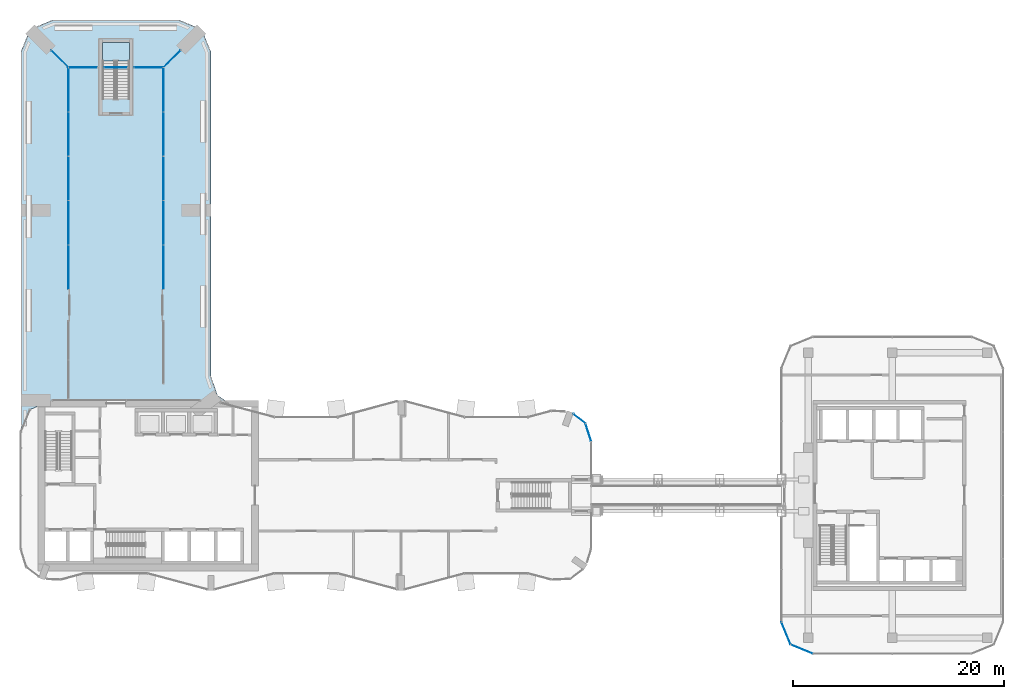
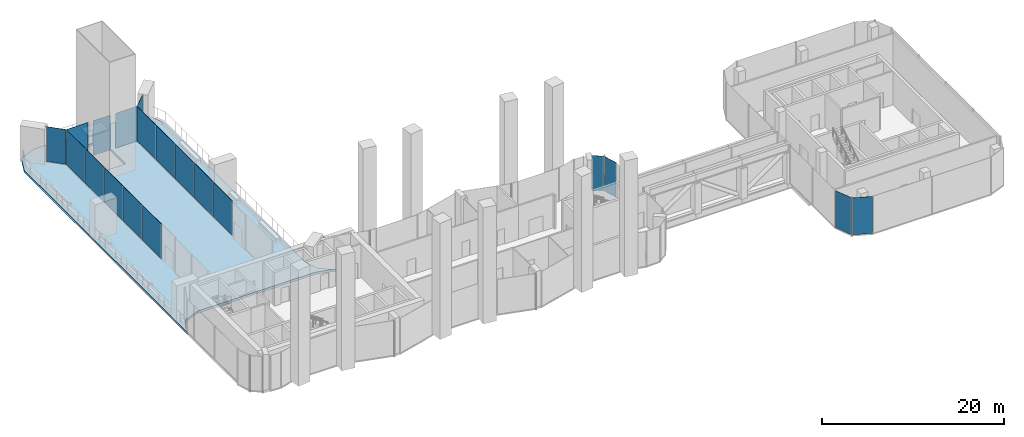
# One storey, part 14 of 23: 19 plates, 2 slabs, 12 elements without a shape of their own.
"""IFC4 building model written with IfcOpenShell, lengths in metres."""

import ifcopenshell
import ifcopenshell.guid

model = None  # the IFC model being written
_history = None  # IfcOwnerHistory: only IFC2X3 demands one
_inside = {}  # id of a spatial element -> (the spatial element, [elements in it])
_under = {}  # id of a project, library or spatial element -> (it, [spatial elements below it])
_declared = {}  # id of a project -> (the project, [libraries it declares])
_typed = {}  # id of a type object -> (the type object, [elements of that type])
_made_of = {}  # id of a material, layer set ... -> (it, [elements and type objects made of it])


def new_model(schema):
    """Start an empty IFC model of exactly this schema.

    Asked for "IFC4X3", IfcOpenShell would pick the latest addendum, in which some entities
    have other attributes; the version numbers below select the first issue.
    IFC2X3 requires an IfcOwnerHistory on every rooted entity: one is made here for all.
    """
    global model, _history
    if schema == "IFC4X3":
        model = ifcopenshell.file(schema_version=(4, 3, 0, 0))
    else:
        model = ifcopenshell.file(schema=schema)
    _inside.clear()
    _under.clear()
    _declared.clear()
    _typed.clear()
    _made_of.clear()
    _history = None
    if model.schema == "IFC2X3":
        org = make("IfcOrganization", Name="unknown")
        user = make(
            "IfcPersonAndOrganization",
            ThePerson=make("IfcPerson", FamilyName="unknown"),
            TheOrganization=org,
        )
        app = make(
            "IfcApplication",
            ApplicationDeveloper=org,
            Version="unknown",
            ApplicationFullName="unknown",
            ApplicationIdentifier="unknown",
        )
        _history = make(
            "IfcOwnerHistory",
            OwningUser=user,
            OwningApplication=app,
            ChangeAction="ADDED",
            CreationDate=0,
        )
    return model


def make(cls, **values):
    """One entity of the class cls with the attributes given. An attribute that is None is left unset."""
    return model.create_entity(
        cls, **{name: value for name, value in values.items() if value is not None}
    )


def rooted(cls, **values):
    """An entity with a GlobalId (a new one), such as an element, a storey or a relation."""
    return make(cls, GlobalId=ifcopenshell.guid.new(), OwnerHistory=_history, **values)


def si_unit(unit_type, name, prefix=None):
    """IfcSIUnit, for example si_unit("LENGTHUNIT", "METRE", prefix="MILLI")."""
    return make("IfcSIUnit", UnitType=unit_type, Prefix=prefix, Name=name)


def assignment(units):
    """IfcUnitAssignment: the units of a project."""
    return None if units is None else make("IfcUnitAssignment", Units=units)


def point(xyz):
    """IfcCartesianPoint."""
    return None if xyz is None else make("IfcCartesianPoint", Coordinates=xyz)


def direction(xyz):
    """IfcDirection."""
    return None if xyz is None else make("IfcDirection", DirectionRatios=xyz)


def frame(location, z_axis=None, x_axis=None):
    """IfcAxis2Placement3D, a coordinate frame: its origin and axes. An axis left out is left unset."""
    return make(
        "IfcAxis2Placement3D",
        Location=point(location),
        Axis=direction(z_axis),
        RefDirection=direction(x_axis),
    )


def frame_2d(location, x_axis=None):
    """IfcAxis2Placement2D, a coordinate frame in the plane: its origin and x axis."""
    return make(
        "IfcAxis2Placement2D", Location=point(location), RefDirection=direction(x_axis)
    )


def origin():
    """The frame at (0, 0, 0) with its axes left unset."""
    return frame((0.0, 0.0, 0.0))


def origin_2d():
    """The frame at (0, 0) in the plane with its x axis left unset."""
    return frame_2d((0.0, 0.0))


def place(relative_to, where):
    """IfcLocalPlacement: puts the frame where relative to a parent placement (None: the world)."""
    return make(
        "IfcLocalPlacement", PlacementRelTo=relative_to, RelativePlacement=where
    )


def context(
    kind, dimensions, precision=None, world=None, true_north=None, identifier=None
):
    """IfcGeometricRepresentationContext, for example the 3D "Model" context."""
    return make(
        "IfcGeometricRepresentationContext",
        ContextIdentifier=identifier,
        ContextType=kind,
        CoordinateSpaceDimension=dimensions,
        Precision=precision,
        WorldCoordinateSystem=world,
        TrueNorth=true_north,
    )


def subcontext(parent, identifier, kind, view, scale=None):
    """IfcGeometricRepresentationSubContext, for example "Body" below "Model"."""
    return make(
        "IfcGeometricRepresentationSubContext",
        ContextIdentifier=identifier,
        ContextType=kind,
        ParentContext=parent,
        TargetScale=scale,
        TargetView=view,
    )


def project(units=None, contexts=None):
    """IfcProject with its units and contexts."""
    return rooted(
        "IfcProject",
        Name="project",
        RepresentationContexts=contexts,
        UnitsInContext=assignment(units),
    )


def spatial(cls, under=None, at=None, **own):
    """A site, building, storey or space (cls), placed at a placement, below another one or the project."""
    s = rooted(cls, ObjectPlacement=at, **own)
    if under is not None:
        _under.setdefault(under.id(), (under, []))[1].append(s)
    return s


def polyline(points):
    """IfcPolyline through the points."""
    return make("IfcPolyline", Points=[point(p) for p in points])


def profile(cls, at=None, kind="AREA", **sizes):
    """A parametric profile (cls). Its sizes go by their IFC names, for example OverallWidth=200.0."""
    return make(cls, ProfileType=kind, Position=at, **sizes)


def rectangle(**sizes):
    """IfcRectangleProfileDef."""
    return profile("IfcRectangleProfileDef", **sizes)


def outline(outer, holes=None, kind="AREA"):
    """IfcArbitraryClosedProfileDef: a profile drawn as a closed curve; with holes, ...WithVoids."""
    if holes is None:
        return make("IfcArbitraryClosedProfileDef", ProfileType=kind, OuterCurve=outer)
    return make(
        "IfcArbitraryProfileDefWithVoids",
        ProfileType=kind,
        OuterCurve=outer,
        InnerCurves=holes,
    )


def extrude(swept, where, along, depth):
    """IfcExtrudedAreaSolid: the profile swept, set in the frame where, extruded along a direction by depth."""
    return make(
        "IfcExtrudedAreaSolid",
        SweptArea=swept,
        Position=where,
        ExtrudedDirection=direction(along),
        Depth=depth,
    )


def shape(context_of_items, identifier, shape_type, items):
    """IfcShapeRepresentation: the items that make up one representation, for example the "Body"."""
    return make(
        "IfcShapeRepresentation",
        ContextOfItems=context_of_items,
        RepresentationIdentifier=identifier,
        RepresentationType=shape_type,
        Items=items,
    )


def material(Name=None, Category=None):
    """IfcMaterial."""
    return make("IfcMaterial", Name=Name, Category=Category)


def layer(
    of_material, thickness, ventilated=None, Name=None, Category=None, Priority=None
):
    """IfcMaterialLayer: one layer of a wall or slab, of a material (None: an air gap)."""
    return make(
        "IfcMaterialLayer",
        Material=of_material,
        LayerThickness=thickness,
        IsVentilated=ventilated,
        Name=Name,
        Category=Category,
        Priority=Priority,
    )


def layer_set(layers, Name=None):
    """IfcMaterialLayerSet."""
    return make("IfcMaterialLayerSet", MaterialLayers=layers, LayerSetName=Name)


def made_of(thing, what):
    """Note that an element or type object is made of a material, layer set ...; save() writes the relation."""
    if what is not None:
        _made_of.setdefault(what.id(), (what, []))[1].append(thing)
    return thing


def type_object(cls, material=None, **own):
    """A type object (cls), such as IfcWallType, which elements share."""
    return made_of(rooted(cls, **own), material)


def element(
    cls,
    number,
    at=None,
    inside=None,
    cuts=None,
    type_object=None,
    material=None,
    context=None,
    identifier="Body",
    shape_type=None,
    held_by="IfcProductDefinitionShape",
    body=None,
    shapes=None,
    **own,
):
    """One element of the class cls, such as IfcWall. Its Tag is "e" and its number.

    at: its placement. inside: the storey or other place that contains it. cuts: it is an
    opening in that element (IfcRelVoidsElement). A single representation is given by context,
    identifier, shape_type and body (its items); several are given by shapes. held_by: the class
    of the entity that holds the representations. save() writes the other relations.
    """
    e = rooted(cls, Tag="e%d" % number, ObjectPlacement=at, **own)
    if body is not None:
        shapes = [shape(context, identifier, shape_type, body)]
    if shapes is not None:
        e.Representation = make(held_by, Representations=shapes)
    if inside is not None:
        _inside.setdefault(inside.id(), (inside, []))[1].append(e)
    if cuts is not None:
        rooted(
            "IfcRelVoidsElement", RelatingBuildingElement=cuts, RelatedOpeningElement=e
        )
    if type_object is not None:
        _typed.setdefault(type_object.id(), (type_object, []))[1].append(e)
    return made_of(e, material)


def aggregate(whole, parts):
    """IfcRelAggregates: a whole, such as a stair, and the parts it consists of."""
    return rooted("IfcRelAggregates", RelatingObject=whole, RelatedObjects=parts)


def save(model, path):
    """Write the relations noted so far, then the file.

    IfcRelAggregates (storeys below a building ...), IfcRelContainedInSpatialStructure (elements
    in a storey), IfcRelDefinesByType, IfcRelAssociatesMaterial and IfcRelDeclares: one each for
    every whole, place, type object, material and project.
    """
    for whole, parts in _under.values():
        aggregate(whole, parts)
    for where, things in _inside.values():
        rooted(
            "IfcRelContainedInSpatialStructure",
            RelatedElements=things,
            RelatingStructure=where,
        )
    for kind, things in _typed.values():
        rooted("IfcRelDefinesByType", RelatedObjects=things, RelatingType=kind)
    for what, things in _made_of.values():
        rooted("IfcRelAssociatesMaterial", RelatedObjects=things, RelatingMaterial=what)
    for by, libraries in _declared.values():
        rooted("IfcRelDeclares", RelatingContext=by, RelatedDefinitions=libraries)
    model.write(path)


model = new_model("IFC4")

# Units and contexts
model_context = context("Model", 3, precision=1e-05, world=origin(), true_north=direction((0.0, 1.0)))
body_context = subcontext(model_context, "Body", "Model", "MODEL_VIEW")
ifc_project = project(units=[si_unit("LENGTHUNIT", "METRE"), si_unit("AREAUNIT", "SQUARE_METRE"), si_unit("VOLUMEUNIT", "CUBIC_METRE"), si_unit("PLANEANGLEUNIT", "RADIAN"), si_unit("MASSUNIT", "GRAM", prefix="KILO")], contexts=[model_context])

# Site, building, storey
site_placement = place(None, origin())
site = spatial("IfcSite", under=ifc_project, at=site_placement, CompositionType="ELEMENT")
building_placement = place(site_placement, origin())
building = spatial("IfcBuilding", under=site, at=building_placement, Name="Plateau Cross Towers", CompositionType="ELEMENT")
storey_placement = place(building_placement, frame((0.0, 0.0, 123.800048828125)))
storey = spatial("IfcBuildingStorey", under=building, at=storey_placement, Name="L32", CompositionType="ELEMENT", Elevation=123.800048828125)

# Curtain wall, plate
ifc_material_1 = material(Name="Dark low-iron glass", Category="glass")
ifc_layer_1 = layer(ifc_material_1, 0.239990234375)
ifc_layer_set_1 = layer_set([ifc_layer_1], Name="Dark low-iron glass")
curtain_wall_type_1 = type_object("IfcCurtainWallType", Name="Curtain wall office unitised CW-F", PredefinedType="NOTDEFINED", material=ifc_layer_set_1)
curtain_wall_1_placement = place(storey_placement, origin())
curtain_wall_1 = element("IfcCurtainWall", 1, at=curtain_wall_1_placement, inside=storey, type_object=curtain_wall_type_1, Name="ENV/B/L32/B720_-30", PredefinedType="NOTDEFINED")
ifc_layer_2 = layer(ifc_material_1, 0.028076171875)
ifc_layer_set_2 = layer_set([ifc_layer_2], Name="Dark low-iron glass")
plate_type_1 = type_object("IfcPlateType", Name="Glass panel 28 office unitised", PredefinedType="CURTAIN_PANEL", material=ifc_layer_set_2)
plate_1_placement = place(storey_placement, frame((72.439453125, -4.060546875, -0.179931640625), z_axis=(0.0, 0.0, 1.0), x_axis=(0.382683612978, -0.923879457699, 0.0)))
plate_1 = element("IfcPlate", 2, at=plate_1_placement, type_object=plate_type_1, Name="CW-F panel 1", PredefinedType="CURTAIN_PANEL", context=body_context, shape_type="SweptSolid", body=[
    extrude(rectangle(XDim=2.236083984375, YDim=0.028076171875, at=origin_2d()), origin(), (0.0, 0.0, 1.0), 4.97998046875),
])
aggregate(curtain_wall_1, [plate_1])

curtain_wall_2_placement = place(storey_placement, origin())
curtain_wall_2 = element("IfcCurtainWall", 3, at=curtain_wall_2_placement, inside=storey, type_object=curtain_wall_type_1, Name="ENV/B/L32/B729_-51", PredefinedType="NOTDEFINED")
plate_2_placement = place(storey_placement, frame((73.939453125, -5.560546875, -0.179931640625), z_axis=(0.0, 0.0, 1.0), x_axis=(0.923879457699, -0.382683612978, 0.0)))
plate_2 = element("IfcPlate", 4, at=plate_2_placement, type_object=plate_type_1, Name="CW-F panel 1", PredefinedType="CURTAIN_PANEL", context=body_context, shape_type="SweptSolid", body=[
    extrude(rectangle(XDim=2.236083984375, YDim=0.028076171875, at=origin_2d()), origin(), (0.0, 0.0, 1.0), 4.97998046875),
])
aggregate(curtain_wall_2, [plate_2])

ifc_layer_3 = layer(ifc_material_1, 0.239990234375)
ifc_layer_set_3 = layer_set([ifc_layer_3], Name="Dark low-iron glass")
curtain_wall_type_2 = type_object("IfcCurtainWallType", Name="Curtain wall flush unitised CW-B", PredefinedType="NOTDEFINED", material=ifc_layer_set_3)
curtain_wall_3_placement = place(storey_placement, origin())
curtain_wall_3 = element("IfcCurtainWall", 5, at=curtain_wall_3_placement, inside=storey, type_object=curtain_wall_type_2, Name="ENV/A/L32/A540_141", PredefinedType="NOTDEFINED")
ifc_layer_4 = layer(ifc_material_1, 0.031982421875)
ifc_layer_set_4 = layer_set([ifc_layer_4], Name="Dark low-iron glass")
plate_type_2 = type_object("IfcPlateType", Name="Glass panel 32 flush unitised", PredefinedType="CURTAIN_PANEL", material=ifc_layer_set_4)
plate_3_placement = place(storey_placement, frame((53.728759765625, 14.951171875, -0.18017578125), z_axis=(0.0, 0.0, 1.0), x_axis=(-0.300686174994, 0.95372313811, 0.0)))
plate_3 = element("IfcPlate", 6, at=plate_3_placement, type_object=plate_type_2, Name="CW-B panel 1", PredefinedType="CURTAIN_PANEL", context=body_context, shape_type="SweptSolid", body=[
    extrude(rectangle(XDim=1.744140625, YDim=0.031982421875, at=origin_2d()), origin(), (0.0, 0.0, 1.0), 4.679931640625),
])
aggregate(curtain_wall_3, [plate_3])

curtain_wall_4_placement = place(storey_placement, origin())
curtain_wall_4 = element("IfcCurtainWall", 7, at=curtain_wall_4_placement, inside=storey, type_object=curtain_wall_type_2, Name="ENV/A/L32/A535_158", PredefinedType="NOTDEFINED")
plate_4_placement = place(storey_placement, frame((52.873779296875, 16.25927734375, -0.18017578125), z_axis=(0.0, 0.0, 1.0), x_axis=(-0.793315514529, 0.608810721331, 0.0)))
plate_4 = element("IfcPlate", 8, at=plate_4_placement, type_object=plate_type_2, Name="CW-B panel 1", PredefinedType="CURTAIN_PANEL", context=body_context, shape_type="SweptSolid", body=[
    extrude(rectangle(XDim=1.41162109375, YDim=0.031982421875, at=origin_2d()), origin(), (0.0, 0.0, 1.0), 4.679931640625),
])
aggregate(curtain_wall_4, [plate_4])

curtain_wall_5_placement = place(storey_placement, origin())
curtain_wall_5 = element("IfcCurtainWall", 9, at=curtain_wall_5_placement, inside=storey, type_object=curtain_wall_type_2, Name="ENV/A/L32/sky45_495_73_495", PredefinedType="NOTDEFINED")
plate_5_placement = place(storey_placement, frame((5.887451171875, 49.5, 0.1201171875), z_axis=(0.0, 0.0, 1.0), x_axis=(1.0, 0.0, 0.0)))
plate_5 = element("IfcPlate", 10, at=plate_5_placement, type_object=plate_type_2, Name="CW-B panel 1", PredefinedType="CURTAIN_PANEL", context=body_context, shape_type="SweptSolid", body=[
    extrude(rectangle(XDim=2.715087890625, YDim=0.031982421875, at=origin_2d()), origin(), (0.0, 0.0, 1.0), 4.679931640625),
])
aggregate(curtain_wall_5, [plate_5])

curtain_wall_6_placement = place(storey_placement, origin())
curtain_wall_6 = element("IfcCurtainWall", 11, at=curtain_wall_6_placement, inside=storey, type_object=curtain_wall_type_2, Name="ENV/A/L32/sky79_495_101_495", PredefinedType="NOTDEFINED")
plate_6_placement = place(storey_placement, frame((9.0, 49.5, 0.1201171875), z_axis=(0.0, 0.0, 1.0), x_axis=(1.0, 0.0, 0.0)))
plate_6 = element("IfcPlate", 12, at=plate_6_placement, type_object=plate_type_2, Name="CW-B panel 1", PredefinedType="CURTAIN_PANEL", context=body_context, shape_type="SweptSolid", body=[
    extrude(rectangle(XDim=2.18994140625, YDim=0.031982421875, at=origin_2d()), origin(), (0.0, 0.0, 1.0), 4.679931640625),
])
aggregate(curtain_wall_6, [plate_6])

curtain_wall_7_placement = place(storey_placement, origin())
curtain_wall_7 = element("IfcCurtainWall", 13, at=curtain_wall_7_placement, inside=storey, type_object=curtain_wall_type_2, Name="ENV/A/L32/sky107_495_135_495", PredefinedType="NOTDEFINED")
plate_7_placement = place(storey_placement, frame((12.112548828125, 49.5, 0.1201171875), z_axis=(0.0, 0.0, 1.0), x_axis=(1.0, 0.0, 0.0)))
plate_7 = element("IfcPlate", 14, at=plate_7_placement, type_object=plate_type_2, Name="CW-B panel 1", PredefinedType="CURTAIN_PANEL", context=body_context, shape_type="SweptSolid", body=[
    extrude(rectangle(XDim=2.715087890625, YDim=0.031982421875, at=origin_2d()), origin(), (0.0, 0.0, 1.0), 4.679931640625),
])
aggregate(curtain_wall_7, [plate_7])

# Curtain wall, plates
curtain_wall_8_placement = place(storey_placement, origin())
curtain_wall_8 = element("IfcCurtainWall", 15, at=curtain_wall_8_placement, inside=storey, type_object=curtain_wall_type_2, Name="ENV/A/L32/sky135_495_135_285", PredefinedType="NOTDEFINED")
plate_8_placement = place(storey_placement, frame((13.5, 47.39990234375, 0.1201171875), z_axis=(0.0, 0.0, 1.0), x_axis=(0.0, -1.0, 0.0)))
plate_8 = element("IfcPlate", 16, at=plate_8_placement, type_object=plate_type_2, Name="CW-B panel 1", PredefinedType="CURTAIN_PANEL", context=body_context, shape_type="SweptSolid", body=[
    extrude(rectangle(XDim=4.139892578125, YDim=0.031982421875, at=origin_2d()), origin(), (0.0, 0.0, 1.0), 4.679931640625),
])
plate_9_placement = place(storey_placement, frame((13.5, 43.199951171875, 0.1201171875), z_axis=(0.0, 0.0, 1.0), x_axis=(0.0, -1.0, 0.0)))
plate_9 = element("IfcPlate", 17, at=plate_9_placement, type_object=plate_type_2, Name="CW-B panel 2", PredefinedType="CURTAIN_PANEL", context=body_context, shape_type="SweptSolid", body=[
    extrude(rectangle(XDim=4.139892578125, YDim=0.031982421875, at=origin_2d()), origin(), (0.0, 0.0, 1.0), 4.679931640625),
])
plate_10_placement = place(storey_placement, frame((13.5, 39.0, 0.1201171875), z_axis=(0.0, 0.0, 1.0), x_axis=(0.0, -1.0, 0.0)))
plate_10 = element("IfcPlate", 18, at=plate_10_placement, type_object=plate_type_2, Name="CW-B panel 3", PredefinedType="CURTAIN_PANEL", context=body_context, shape_type="SweptSolid", body=[
    extrude(rectangle(XDim=4.139892578125, YDim=0.031982421875, at=origin_2d()), origin(), (0.0, 0.0, 1.0), 4.679931640625),
])
plate_11_placement = place(storey_placement, frame((13.5, 34.800048828125, 0.1201171875), z_axis=(0.0, 0.0, 1.0), x_axis=(0.0, -1.0, 0.0)))
plate_11 = element("IfcPlate", 19, at=plate_11_placement, type_object=plate_type_2, Name="CW-B panel 4", PredefinedType="CURTAIN_PANEL", context=body_context, shape_type="SweptSolid", body=[
    extrude(rectangle(XDim=4.139892578125, YDim=0.031982421875, at=origin_2d()), origin(), (0.0, 0.0, 1.0), 4.679931640625),
])
plate_12_placement = place(storey_placement, frame((13.5, 30.60009765625, 0.1201171875), z_axis=(0.0, 0.0, 1.0), x_axis=(0.0, -1.0, 0.0)))
plate_12 = element("IfcPlate", 20, at=plate_12_placement, type_object=plate_type_2, Name="CW-B panel 5", PredefinedType="CURTAIN_PANEL", context=body_context, shape_type="SweptSolid", body=[
    extrude(rectangle(XDim=4.139892578125, YDim=0.031982421875, at=origin_2d()), origin(), (0.0, 0.0, 1.0), 4.679931640625),
])
aggregate(curtain_wall_8, [plate_8, plate_9, plate_10, plate_11, plate_12])

curtain_wall_9_placement = place(storey_placement, origin())
curtain_wall_9 = element("IfcCurtainWall", 21, at=curtain_wall_9_placement, inside=storey, type_object=curtain_wall_type_2, Name="ENV/A/L32/sky45_285_45_495", PredefinedType="NOTDEFINED")
plate_13_placement = place(storey_placement, frame((4.5, 30.60009765625, 0.1201171875), z_axis=(0.0, 0.0, 1.0), x_axis=(0.0, 1.0, 0.0)))
plate_13 = element("IfcPlate", 22, at=plate_13_placement, type_object=plate_type_2, Name="CW-B panel 1", PredefinedType="CURTAIN_PANEL", context=body_context, shape_type="SweptSolid", body=[
    extrude(rectangle(XDim=4.139892578125, YDim=0.031982421875, at=origin_2d()), origin(), (0.0, 0.0, 1.0), 4.679931640625),
])
plate_14_placement = place(storey_placement, frame((4.5, 34.800048828125, 0.1201171875), z_axis=(0.0, 0.0, 1.0), x_axis=(0.0, 1.0, 0.0)))
plate_14 = element("IfcPlate", 23, at=plate_14_placement, type_object=plate_type_2, Name="CW-B panel 2", PredefinedType="CURTAIN_PANEL", context=body_context, shape_type="SweptSolid", body=[
    extrude(rectangle(XDim=4.139892578125, YDim=0.031982421875, at=origin_2d()), origin(), (0.0, 0.0, 1.0), 4.679931640625),
])
plate_15_placement = place(storey_placement, frame((4.5, 39.0, 0.1201171875), z_axis=(0.0, 0.0, 1.0), x_axis=(0.0, 1.0, 0.0)))
plate_15 = element("IfcPlate", 24, at=plate_15_placement, type_object=plate_type_2, Name="CW-B panel 3", PredefinedType="CURTAIN_PANEL", context=body_context, shape_type="SweptSolid", body=[
    extrude(rectangle(XDim=4.139892578125, YDim=0.031982421875, at=origin_2d()), origin(), (0.0, 0.0, 1.0), 4.679931640625),
])
plate_16_placement = place(storey_placement, frame((4.5, 43.199951171875, 0.1201171875), z_axis=(0.0, 0.0, 1.0), x_axis=(0.0, 1.0, 0.0)))
plate_16 = element("IfcPlate", 25, at=plate_16_placement, type_object=plate_type_2, Name="CW-B panel 4", PredefinedType="CURTAIN_PANEL", context=body_context, shape_type="SweptSolid", body=[
    extrude(rectangle(XDim=4.139892578125, YDim=0.031982421875, at=origin_2d()), origin(), (0.0, 0.0, 1.0), 4.679931640625),
])
plate_17_placement = place(storey_placement, frame((4.5, 47.39990234375, 0.1201171875), z_axis=(0.0, 0.0, 1.0), x_axis=(0.0, 1.0, 0.0)))
plate_17 = element("IfcPlate", 26, at=plate_17_placement, type_object=plate_type_2, Name="CW-B panel 5", PredefinedType="CURTAIN_PANEL", context=body_context, shape_type="SweptSolid", body=[
    extrude(rectangle(XDim=4.139892578125, YDim=0.031982421875, at=origin_2d()), origin(), (0.0, 0.0, 1.0), 4.679931640625),
])
aggregate(curtain_wall_9, [plate_13, plate_14, plate_15, plate_16, plate_17])

# Curtain wall, plate
curtain_wall_10_placement = place(storey_placement, origin())
curtain_wall_10 = element("IfcCurtainWall", 27, at=curtain_wall_10_placement, inside=storey, type_object=curtain_wall_type_2, Name="ENV/A/L32/sky151_511_135_495", PredefinedType="NOTDEFINED")
plate_18_placement = place(storey_placement, frame((14.32080078125, 50.32080078125, 0.1201171875), z_axis=(0.0, 0.0, 1.0), x_axis=(-0.707106781187, -0.707106781187, 0.0)))
plate_18 = element("IfcPlate", 28, at=plate_18_placement, type_object=plate_type_2, Name="CW-B panel 1", PredefinedType="CURTAIN_PANEL", context=body_context, shape_type="SweptSolid", body=[
    extrude(rectangle(XDim=2.26123046875, YDim=0.031982421875, at=origin_2d()), origin(), (0.0, 0.0, 1.0), 4.679931640625),
])
aggregate(curtain_wall_10, [plate_18])

curtain_wall_11_placement = place(storey_placement, origin())
curtain_wall_11 = element("IfcCurtainWall", 29, at=curtain_wall_11_placement, inside=storey, type_object=curtain_wall_type_2, Name="ENV/A/L32/sky29_511_45_495", PredefinedType="NOTDEFINED")
plate_19_placement = place(storey_placement, frame((3.67919921875, 50.32080078125, 0.1201171875), z_axis=(0.0, 0.0, 1.0), x_axis=(0.707106781187, -0.707106781187, 0.0)))
plate_19 = element("IfcPlate", 30, at=plate_19_placement, type_object=plate_type_2, Name="CW-B panel 1", PredefinedType="CURTAIN_PANEL", context=body_context, shape_type="SweptSolid", body=[
    extrude(rectangle(XDim=2.26123046875, YDim=0.031982421875, at=origin_2d()), origin(), (0.0, 0.0, 1.0), 4.679931640625),
])
aggregate(curtain_wall_11, [plate_19])

# Slab
ifc_material_2 = material(Name="Concrete C40/50", Category="concrete")
ifc_layer_5 = layer(ifc_material_2, 0.300048828125)
ifc_layer_set_5 = layer_set([ifc_layer_5], Name="Concrete C40/50")
slab_type_1 = type_object("IfcSlabType", Name="Post-tensioned deck slab 300", PredefinedType="FLOOR", material=ifc_layer_set_5)
slab_1_placement = place(storey_placement, frame((0.0, 0.0, -0.300048828125)))
element("IfcSlab", 31, at=slab_1_placement, inside=storey, type_object=slab_type_1, Name="SL-A-west-garden", PredefinedType="FLOOR", context=body_context, shape_type="SweptSolid", body=[
    extrude(outline(polyline([(15.0, 54.0), (17.121337890625, 53.121337890625), (18.0, 51.0), (18.0, 20.30224609375), (18.6201171875, 18.475830078125), (20.21435546875, 17.410888671875), (20.212646484375, 17.407470703125), (18.0, 18.0), (3.0, 18.0), (0.878662109375, 17.121337890625), (0.00048828125, 15.001220703125), (0.0, 15.001220703125), (0.0, 51.0), (0.878662109375, 53.121337890625), (3.0, 54.0), (15.0, 54.0)]), holes=[polyline([(10.27490234375, 46.5), (10.27490234375, 51.699951171875), (7.72509765625, 51.699951171875), (7.72509765625, 46.5), (10.27490234375, 46.5)])]), origin(), (0.0, 0.0, 1.0), 0.300048828125),
])

# Stair, slab
stair_type = type_object("IfcStairType", Name="ST-TWR", PredefinedType="HALF_TURN_STAIR", material=ifc_material_2)
stair_placement = place(storey_placement, origin())
stair = element("IfcStair", 32, at=stair_placement, inside=storey, type_object=stair_type, Name="L32 Protected Exit Stair N", PredefinedType="HALF_TURN_STAIR")
ifc_layer_6 = layer(ifc_material_2, 0.199951171875)
ifc_layer_set_6 = layer_set([ifc_layer_6], Name="Concrete C40/50")
slab_type_2 = type_object("IfcSlabType", Name="SL-LANDING", PredefinedType="LANDING", material=ifc_layer_set_6)
slab_2_placement = place(storey_placement, frame((0.0, 0.0, 2.199951171875)))
slab_2 = element("IfcSlab", 33, at=slab_2_placement, type_object=slab_type_2, Name="ES-N landing 1", PredefinedType="LANDING", context=body_context, shape_type="SweptSolid", body=[
    extrude(outline(polyline([(10.27490234375, 50.139892578125), (10.27490234375, 51.85009765625), (7.72509765625, 51.85009765625), (7.72509765625, 50.139892578125), (10.27490234375, 50.139892578125)])), origin(), (0.0, 0.0, 1.0), 0.199951171875),
])
aggregate(stair, [slab_2])

save(model, "model.ifc")
